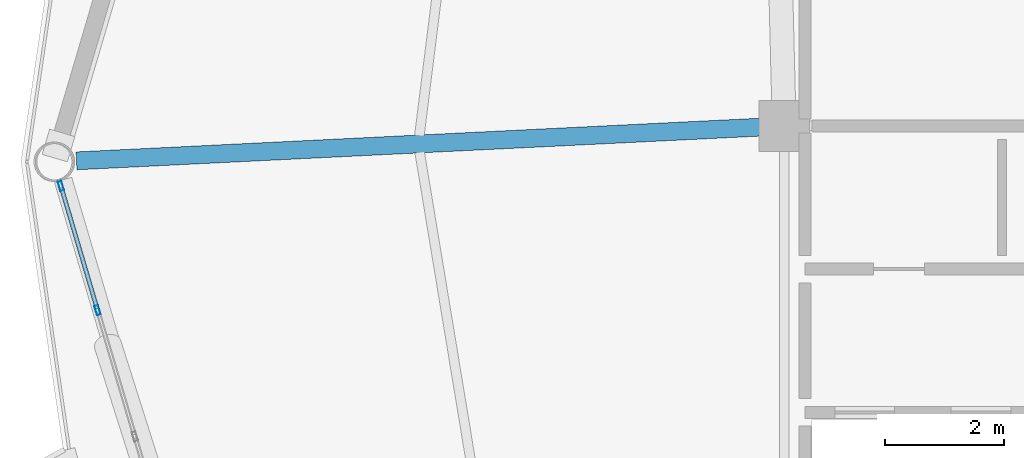
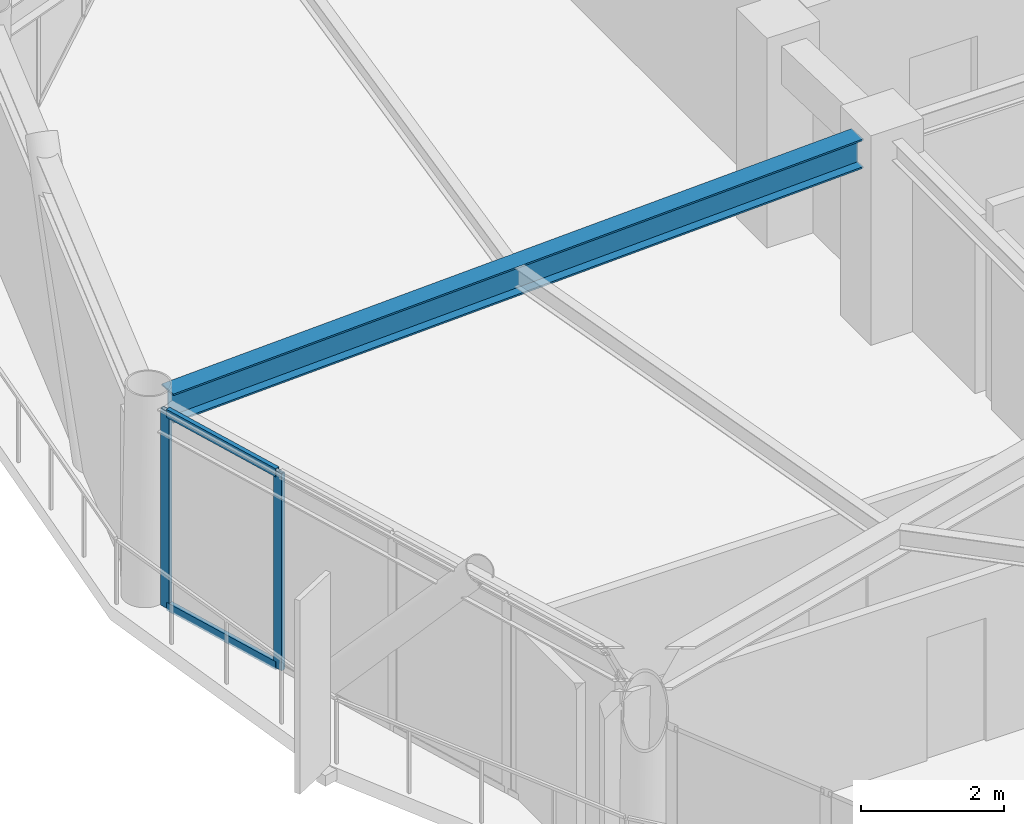
# One storey, part 11 of 28: 4 members, 1 beam, 1 element without a shape of its own.
"""IFC4 building model written with IfcOpenShell, lengths in metres."""

from ifc_helpers import new_model, si_unit, direction, frame, origin, origin_2d, place, context, subcontext, project, spatial, hollow_rectangle, i_section, extrude, material, layer, layer_set, material_profile, profile_set, type_object, element, aggregate, save


model = new_model("IFC4")

# Units and contexts
model_context = context("Model", 3, precision=1e-05, world=origin(), true_north=direction((0.0, 1.0)))
body_context = subcontext(model_context, "Body", "Model", "MODEL_VIEW")
ifc_project = project(units=[si_unit("LENGTHUNIT", "METRE"), si_unit("AREAUNIT", "SQUARE_METRE"), si_unit("VOLUMEUNIT", "CUBIC_METRE"), si_unit("PLANEANGLEUNIT", "RADIAN"), si_unit("MASSUNIT", "GRAM", prefix="KILO")], contexts=[model_context])

# Site, building, storey
site_placement = place(None, origin())
site = spatial("IfcSite", under=ifc_project, at=site_placement, CompositionType="ELEMENT")
building_placement = place(site_placement, origin())
building = spatial("IfcBuilding", under=site, at=building_placement, Name="Varnakorn Sky Granary", CompositionType="ELEMENT")
storey_placement = place(building_placement, frame((0.0, 0.0, 196.800048828125)))
storey = spatial("IfcBuildingStorey", under=building, at=storey_placement, Name="L49", CompositionType="ELEMENT", Elevation=196.800048828125)

# Beam
ifc_material_1 = material(Name="Steel S355JR", Category="steel")
ifc_material_profile_1 = material_profile(ifc_material_1, i_section(OverallWidth=0.300048828125, OverallDepth=0.5, WebThickness=0.014404296875, FlangeThickness=0.028076171875, at=origin_2d()), Name="HE 500 B")
ifc_profile_set_1 = profile_set([ifc_material_profile_1], Name="Steel S355JR")
beam_type = type_object("IfcBeamType", Name="BM-RAD-Z4", PredefinedType="BEAM", material=ifc_profile_set_1)
beam_placement = place(storey_placement, frame((-2.75439453125, 0.580078125, 3.10986328125), z_axis=(-0.998787541804, -0.049228511426, 0.0), x_axis=(0.049228511426, -0.998787541804, 0.0)))
element("IfcBeam", 1, at=beam_placement, inside=storey, type_object=beam_type, Name="Radial Floor Girder RG07 L49", PredefinedType="BEAM", context=body_context, shape_type="SweptSolid", body=[
    extrude(i_section(OverallWidth=0.300048828125, OverallDepth=0.5, WebThickness=0.014404296875, FlangeThickness=0.028076171875, at=origin_2d()), origin(), (0.0, 0.0, 1.0), 11.470947265625),
])

# Curtain wall, members
ifc_material_2 = material(Name="Anodised Bronze Aluminium Alloy 6063-T6", Category="aluminium")
ifc_layer = layer(ifc_material_2, 0.169921875, Name="Anodised Bronze Aluminium Alloy 6063-T6")
ifc_layer_set = layer_set([ifc_layer], Name="Anodised Bronze Aluminium Alloy 6063-T6")
curtain_wall_type = type_object("IfcCurtainWallType", Name="CW-LAB-1", PredefinedType="USERDEFINED", material=ifc_layer_set)
curtain_wall_placement = place(storey_placement, origin())
curtain_wall = element("IfcCurtainWall", 2, at=curtain_wall_placement, inside=storey, type_object=curtain_wall_type, Name="Unitised Curtain Wall CW5 CW-L49-B07", ObjectType="CURTAIN WALL", PredefinedType="USERDEFINED")
ifc_material_profile_2 = material_profile(ifc_material_2, hollow_rectangle(XDim=0.06494140625, YDim=0.159912109375, WallThickness=0.00341796875, at=origin_2d()), Name="ALU MULL 65x160")
ifc_profile_set_2 = profile_set([ifc_material_profile_2], Name="Anodised Bronze Aluminium Alloy 6063-T6")
member_type_1 = type_object("IfcMemberType", Name="CW-LAB-1-MULL", PredefinedType="MULLION", material=ifc_profile_set_2)
member_1_placement = place(storey_placement, frame((-13.858154296875, -2.488525390625, 0.0), z_axis=(0.0, 0.0, 1.0), x_axis=(-0.958963914964, -0.283528146394, 0.0)))
member_1 = element("IfcMember", 3, at=member_1_placement, type_object=member_type_1, Name="CW5 mullion 4", PredefinedType="MULLION", context=body_context, shape_type="SweptSolid", body=[
    extrude(hollow_rectangle(XDim=0.06494140625, YDim=0.159912109375, WallThickness=0.00341796875, at=origin_2d()), origin(), (0.0, 0.0, 1.0), 3.35986328125),
])
member_2_placement = place(storey_placement, frame((-14.47412109375, -0.4052734375, 0.0), z_axis=(0.0, 0.0, 1.0), x_axis=(-0.958963914964, -0.283528146394, 0.0)))
member_2 = element("IfcMember", 4, at=member_2_placement, type_object=member_type_1, Name="CW5 mullion 5", PredefinedType="MULLION", context=body_context, shape_type="SweptSolid", body=[
    extrude(hollow_rectangle(XDim=0.06494140625, YDim=0.159912109375, WallThickness=0.00341796875, at=origin_2d()), origin(), (0.0, 0.0, 1.0), 3.35986328125),
])
ifc_material_profile_3 = material_profile(ifc_material_2, hollow_rectangle(XDim=0.070068359375, YDim=0.139892578125, WallThickness=0.00341796875, at=origin_2d()), Name="ALU TRAN 70x140")
ifc_profile_set_3 = profile_set([ifc_material_profile_3], Name="Anodised Bronze Aluminium Alloy 6063-T6")
member_type_2 = type_object("IfcMemberType", Name="CW-LAB-1-TRAN", PredefinedType="USERDEFINED", material=ifc_profile_set_3)
member_3_placement = place(storey_placement, frame((-13.867431640625, -2.457275390625, 0.034912109375), z_axis=(-0.283583431444, 0.958947567602, 0.0), x_axis=(-0.958947567602, -0.283583431444, 0.0)))
member_3 = element("IfcMember", 5, at=member_3_placement, type_object=member_type_2, Name="CW5 transom 4.1", ObjectType="TRANSOM", PredefinedType="USERDEFINED", context=body_context, shape_type="SweptSolid", body=[
    extrude(hollow_rectangle(XDim=0.070068359375, YDim=0.139892578125, WallThickness=0.00341796875, at=origin_2d()), origin(), (0.0, 0.0, 1.0), 2.107421875),
])
member_4_placement = place(storey_placement, frame((-13.867431640625, -2.457275390625, 3.324951171875), z_axis=(-0.283583431444, 0.958947567602, 0.0), x_axis=(-0.958947567602, -0.283583431444, 0.0)))
member_4 = element("IfcMember", 6, at=member_4_placement, type_object=member_type_2, Name="CW5 transom 4.2", ObjectType="TRANSOM", PredefinedType="USERDEFINED", context=body_context, shape_type="SweptSolid", body=[
    extrude(hollow_rectangle(XDim=0.070068359375, YDim=0.139892578125, WallThickness=0.00341796875, at=origin_2d()), origin(), (0.0, 0.0, 1.0), 2.107421875),
])
aggregate(curtain_wall, [member_1, member_2, member_3, member_4])

save(model, "model.ifc")
